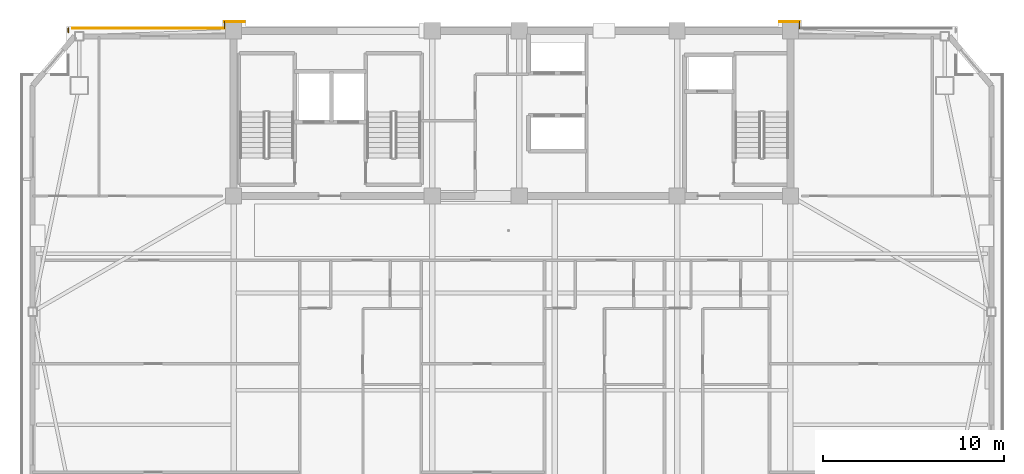
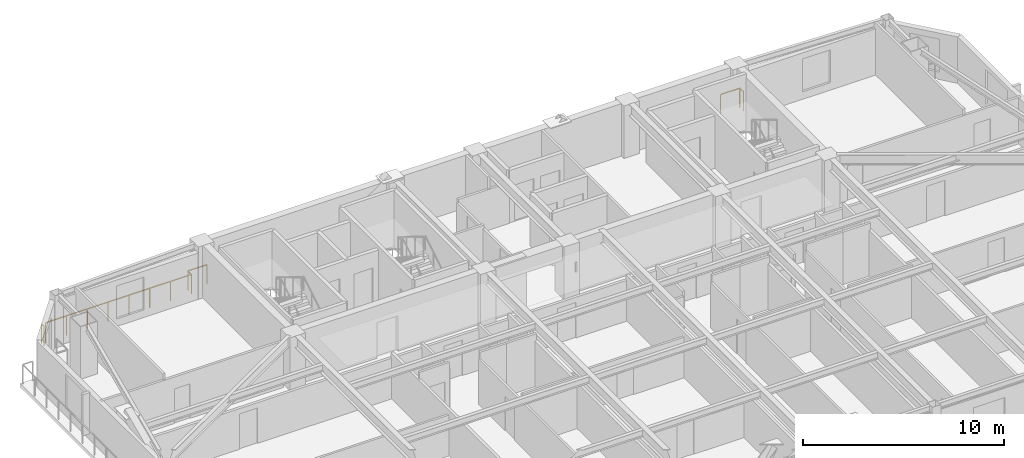
# One storey, part 17 of 18: 6 railings.
"""IFC4 building model written with IfcOpenShell, lengths in metres."""

from ifc_helpers import new_model, si_unit, direction, frame, origin, origin_2d, place, context, subcontext, project, spatial, rectangle, extrude, material, type_object, element, save


model = new_model("IFC4")

# Units and contexts
model_context = context("Model", 3, precision=1e-05, world=origin(), true_north=direction((0.0, 1.0)))
body_context = subcontext(model_context, "Body", "Model", "MODEL_VIEW")
ifc_project = project(units=[si_unit("LENGTHUNIT", "METRE"), si_unit("AREAUNIT", "SQUARE_METRE"), si_unit("VOLUMEUNIT", "CUBIC_METRE"), si_unit("PLANEANGLEUNIT", "RADIAN"), si_unit("MASSUNIT", "GRAM", prefix="KILO")], contexts=[model_context])

# Site, building, storey
site_placement = place(None, origin())
site = spatial("IfcSite", under=ifc_project, at=site_placement, CompositionType="ELEMENT")
building_placement = place(site_placement, origin())
building = spatial("IfcBuilding", under=site, at=building_placement, Name="Giltprow Tower", CompositionType="ELEMENT")
storey_placement = place(building_placement, frame((0.0, 0.0, 262.10009765625)))
storey = spatial("IfcBuildingStorey", under=building, at=storey_placement, Name="L67", CompositionType="ELEMENT", Elevation=262.10009765625)

# Railings
ifc_material = material(Name="Anodized bronze", Category="metal")
railing_type = type_object("IfcRailingType", Name="RAIL-BALC-GUARD-1200", PredefinedType="BALUSTRADE", material=ifc_material)
railing_1_placement = place(storey_placement, frame((10.748046875, 46.470947265625, 0.0)))
element("IfcRailing", 1, at=railing_1_placement, inside=storey, type_object=railing_type, Name="L67 Corner Apron Edge Balustrade 21", PredefinedType="BALUSTRADE", context=body_context, shape_type="SweptSolid", body=[
    extrude(rectangle(XDim=0.048095703125, YDim=0.048095703125, at=origin_2d()), frame((0.0, 0.0, 1.17578125), z_axis=(0.0, 1.0, 0.0), x_axis=(-1.0, 0.0, 0.0)), (0.0, 0.0, 1.0), 0.22802734375),
    extrude(rectangle(XDim=0.0419921875, YDim=0.0419921875, at=origin_2d()), origin(), (0.0, 0.0, 1.0), 1.15185546875),
    extrude(rectangle(XDim=0.0419921875, YDim=0.0419921875, at=origin_2d()), frame((0.0, 0.22802734375, 0.0)), (0.0, 0.0, 1.0), 1.15185546875),
])
railing_2_placement = place(storey_placement, frame((10.971923828125, 46.698974609375, 0.0)))
element("IfcRailing", 2, at=railing_2_placement, inside=storey, type_object=railing_type, Name="L67 Corner Apron Edge Balustrade 22", PredefinedType="BALUSTRADE", context=body_context, shape_type="SweptSolid", body=[
    extrude(rectangle(XDim=0.048095703125, YDim=0.048095703125, at=origin_2d()), frame((0.0, 0.0, 1.17578125), z_axis=(1.0, 0.0, 0.0), x_axis=(0.0, 1.0, 0.0)), (0.0, 0.0, 1.0), 8.378173828125),
    extrude(rectangle(XDim=0.0419921875, YDim=0.0419921875, at=origin_2d()), origin(), (0.0, 0.0, 1.0), 1.15185546875),
    extrude(rectangle(XDim=0.0419921875, YDim=0.0419921875, at=origin_2d()), frame((1.19677734375, 0.0, 0.0)), (0.0, 0.0, 1.0), 1.15185546875),
    extrude(rectangle(XDim=0.0419921875, YDim=0.0419921875, at=origin_2d()), frame((2.393798828125, 0.0, 0.0)), (0.0, 0.0, 1.0), 1.15185546875),
    extrude(rectangle(XDim=0.0419921875, YDim=0.0419921875, at=origin_2d()), frame((3.590576171875, 0.0, 0.0)), (0.0, 0.0, 1.0), 1.15185546875),
    extrude(rectangle(XDim=0.0419921875, YDim=0.0419921875, at=origin_2d()), frame((4.78759765625, 0.0, 0.0)), (0.0, 0.0, 1.0), 1.15185546875),
    extrude(rectangle(XDim=0.0419921875, YDim=0.0419921875, at=origin_2d()), frame((5.984375, 0.0, 0.0)), (0.0, 0.0, 1.0), 1.15185546875),
    extrude(rectangle(XDim=0.0419921875, YDim=0.0419921875, at=origin_2d()), frame((7.181396484375, 0.0, 0.0)), (0.0, 0.0, 1.0), 1.15185546875),
    extrude(rectangle(XDim=0.0419921875, YDim=0.0419921875, at=origin_2d()), frame((8.378173828125, 0.0, 0.0)), (0.0, 0.0, 1.0), 1.15185546875),
])
railing_3_placement = place(storey_placement, frame((19.35009765625, 46.698974609375, 0.0)))
element("IfcRailing", 3, at=railing_3_placement, inside=storey, type_object=railing_type, Name="L67 Corner Apron Edge Balustrade 23", PredefinedType="BALUSTRADE", context=body_context, shape_type="SweptSolid", body=[
    extrude(rectangle(XDim=0.048095703125, YDim=0.048095703125, at=origin_2d()), frame((0.0, 0.0, 1.17578125), z_axis=(0.0, 1.0, 0.0), x_axis=(-1.0, 0.0, 0.0)), (0.0, 0.0, 1.0), 0.35107421875),
    extrude(rectangle(XDim=0.0419921875, YDim=0.0419921875, at=origin_2d()), origin(), (0.0, 0.0, 1.0), 1.15185546875),
    extrude(rectangle(XDim=0.0419921875, YDim=0.0419921875, at=origin_2d()), frame((0.0, 0.35107421875, 0.0)), (0.0, 0.0, 1.0), 1.15185546875),
])
railing_4_placement = place(storey_placement, frame((19.35009765625, 47.050048828125, 0.0)))
element("IfcRailing", 4, at=railing_4_placement, inside=storey, type_object=railing_type, Name="L67 Corner Apron Edge Balustrade 24", PredefinedType="BALUSTRADE", context=body_context, shape_type="SweptSolid", body=[
    extrude(rectangle(XDim=0.048095703125, YDim=0.048095703125, at=origin_2d()), frame((0.0, 0.0, 1.17578125), z_axis=(1.0, 0.0, 0.0), x_axis=(0.0, 1.0, 0.0)), (0.0, 0.0, 1.0), 1.099853515625),
    extrude(rectangle(XDim=0.0419921875, YDim=0.0419921875, at=origin_2d()), origin(), (0.0, 0.0, 1.0), 1.15185546875),
    extrude(rectangle(XDim=0.0419921875, YDim=0.0419921875, at=origin_2d()), frame((1.099853515625, 0.0, 0.0)), (0.0, 0.0, 1.0), 1.15185546875),
])
railing_5_placement = place(storey_placement, frame((49.949951171875, 47.050048828125, 0.0)))
element("IfcRailing", 5, at=railing_5_placement, inside=storey, type_object=railing_type, Name="L67 Corner Apron Edge Balustrade 25", PredefinedType="BALUSTRADE", context=body_context, shape_type="SweptSolid", body=[
    extrude(rectangle(XDim=0.048095703125, YDim=0.048095703125, at=origin_2d()), frame((0.0, 0.0, 1.17578125), z_axis=(1.0, 0.0, 0.0), x_axis=(0.0, 1.0, 0.0)), (0.0, 0.0, 1.0), 1.10009765625),
    extrude(rectangle(XDim=0.0419921875, YDim=0.0419921875, at=origin_2d()), origin(), (0.0, 0.0, 1.0), 1.15185546875),
    extrude(rectangle(XDim=0.0419921875, YDim=0.0419921875, at=origin_2d()), frame((1.10009765625, 0.0, 0.0)), (0.0, 0.0, 1.0), 1.15185546875),
])
railing_6_placement = place(storey_placement, frame((51.050048828125, 47.050048828125, 0.0)))
element("IfcRailing", 6, at=railing_6_placement, inside=storey, type_object=railing_type, Name="L67 Corner Apron Edge Balustrade 26", PredefinedType="BALUSTRADE", context=body_context, shape_type="SweptSolid", body=[
    extrude(rectangle(XDim=0.048095703125, YDim=0.048095703125, at=origin_2d()), frame((0.0, 0.0, 1.17578125), z_axis=(0.0, -1.0, 0.0), x_axis=(1.0, 0.0, 0.0)), (0.0, 0.0, 1.0), 0.35107421875),
    extrude(rectangle(XDim=0.0419921875, YDim=0.0419921875, at=origin_2d()), origin(), (0.0, 0.0, 1.0), 1.15185546875),
    extrude(rectangle(XDim=0.0419921875, YDim=0.0419921875, at=origin_2d()), frame((0.0, -0.35107421875, 0.0)), (0.0, 0.0, 1.0), 1.15185546875),
])

save(model, "model.ifc")
